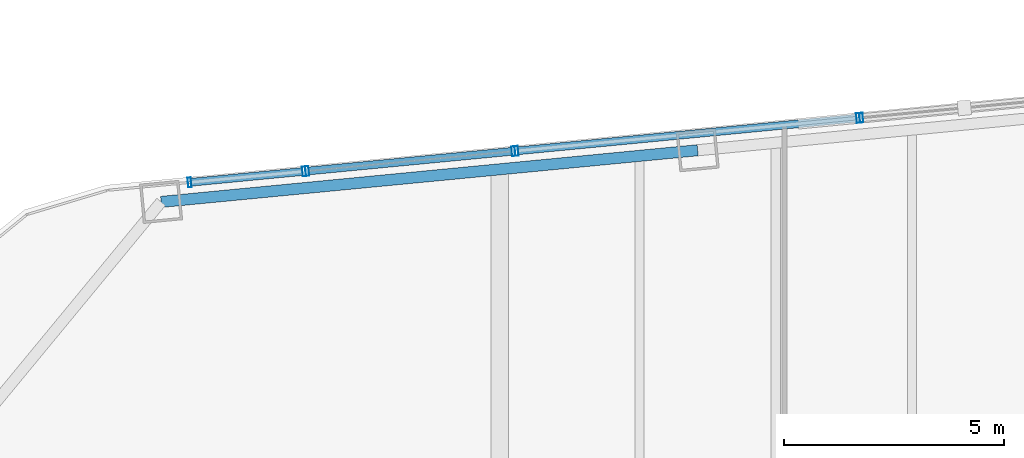
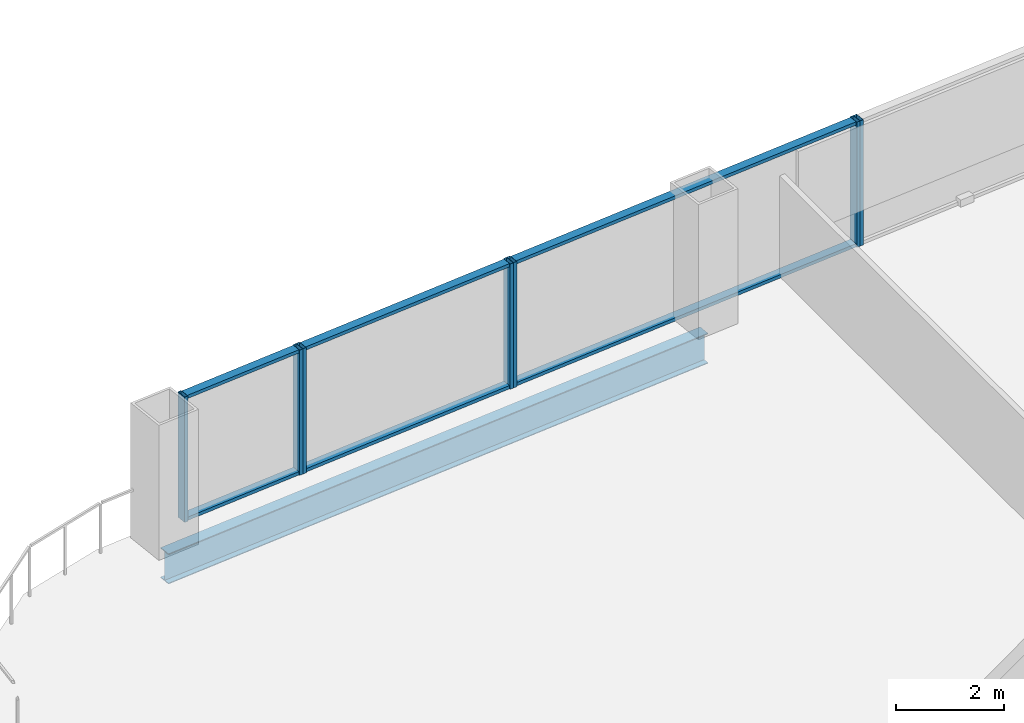
# One storey, part 16 of 27: 13 members, 1 beam, 4 elements without a shape of their own.
"""IFC4 building model written with IfcOpenShell, lengths in metres."""

from ifc_helpers import new_model, si_unit, direction, frame, origin, origin_2d, place, context, subcontext, project, spatial, hollow_rectangle, i_section, extrude, material, layer, layer_set, material_profile, profile_set, type_object, element, aggregate, save


model = new_model("IFC4")

# Units and contexts
model_context = context("Model", 3, precision=1e-05, world=origin(), true_north=direction((0.0, 1.0)))
body_context = subcontext(model_context, "Body", "Model", "MODEL_VIEW")
ifc_project = project(units=[si_unit("LENGTHUNIT", "METRE"), si_unit("AREAUNIT", "SQUARE_METRE"), si_unit("VOLUMEUNIT", "CUBIC_METRE"), si_unit("PLANEANGLEUNIT", "RADIAN"), si_unit("MASSUNIT", "GRAM", prefix="KILO")], contexts=[model_context])

# Site, building, storey
site_placement = place(None, origin())
site = spatial("IfcSite", under=ifc_project, at=site_placement, CompositionType="ELEMENT")
building_placement = place(site_placement, origin())
building = spatial("IfcBuilding", under=site, at=building_placement, Name="Qhalaya Broadcast Tower", CompositionType="ELEMENT")
storey_placement = place(building_placement, frame((0.0, 0.0, 75.550048828125)))
storey = spatial("IfcBuildingStorey", under=building, at=storey_placement, Name="L21", CompositionType="ELEMENT", Elevation=75.550048828125)

# Beam
ifc_material_1 = material(Name="Structural Steel ASTM A992 Grade 50", Category="steel")
ifc_material_profile_1 = material_profile(ifc_material_1, i_section(OverallWidth=0.25390625, OverallDepth=0.68310546875, WebThickness=0.012451171875, FlangeThickness=0.01904296875, at=origin_2d()), Name="W27X94")
ifc_profile_set_1 = profile_set([ifc_material_profile_1], Name="Structural Steel ASTM A992 Grade 50")
beam_type = type_object("IfcBeamType", Name="Perimeter Ring Spandrel Beam SP1", PredefinedType="SPANDREL", material=ifc_profile_set_1)
beam_placement = place(storey_placement, frame((-4.875, 26.941162109375, -0.5615234375), z_axis=(-0.99539563662, -0.095851586307, 0.0), x_axis=(0.095851586307, -0.99539563662, 0.0)))
element("IfcBeam", 1, at=beam_placement, inside=storey, type_object=beam_type, Name="L21 SP1 L21-SPR-11", PredefinedType="SPANDREL", context=body_context, shape_type="SweptSolid", body=[
    extrude(i_section(OverallWidth=0.25390625, OverallDepth=0.68310546875, WebThickness=0.012451171875, FlangeThickness=0.01904296875, at=origin_2d()), origin(), (0.0, 0.0, 1.0), 12.2666015625),
])

# Curtain wall, member
ifc_material_2 = material(Name="Solar-Control Low-E Triple Glazing", Category="glass")
ifc_layer_1 = layer(ifc_material_2, 0.219970703125, Name="Solar-Control Low-E Triple Glazing")
ifc_layer_set_1 = layer_set([ifc_layer_1], Name="Solar-Control Low-E Triple Glazing")
curtain_wall_type_1 = type_object("IfcCurtainWallType", Name="Even-Block 4-Storey Double-Module Curtain Wall CW-03", PredefinedType="NOTDEFINED", material=ifc_layer_set_1)
curtain_wall_1_placement = place(storey_placement, origin())
curtain_wall_1 = element("IfcCurtainWall", 2, at=curtain_wall_1_placement, inside=storey, type_object=curtain_wall_type_1, Name="L21 Unitised Curtain Wall L21-CW-N4", PredefinedType="NOTDEFINED")
ifc_material_3 = material(Name="Anodised Aluminium 6063-T6", Category="aluminium")
ifc_material_profile_2 = material_profile(ifc_material_3, hollow_rectangle(XDim=0.074951171875, YDim=0.219970703125, WallThickness=0.00390625, at=origin_2d()), Name="ALU-MUL 75x220x4")
ifc_profile_set_2 = profile_set([ifc_material_profile_2], Name="Anodised Aluminium 6063-T6")
member_type_1 = type_object("IfcMemberType", Name="Unitised Curtain-Wall Mullion M01", PredefinedType="MULLION", material=ifc_profile_set_2)
member_1_placement = place(storey_placement, frame((-1.15087890625, 27.681396484375, 0.0), z_axis=(0.0, 0.0, 1.0), x_axis=(-0.995394623965, -0.095862101904, 0.0)))
member_1 = element("IfcMember", 3, at=member_1_placement, type_object=member_type_1, Name="CW-03 mullion 2", PredefinedType="MULLION", context=body_context, shape_type="SweptSolid", body=[
    extrude(hollow_rectangle(XDim=0.074951171875, YDim=0.219970703125, WallThickness=0.00390625, at=origin_2d()), origin(), (0.0, 0.0, 1.0), 2.829833984375),
])
aggregate(curtain_wall_1, [member_1])

# Curtain wall, members
ifc_material_4 = material(Name="Fired Architectural Terracotta", Category="masonry")
ifc_layer_2 = layer(ifc_material_4, 0.219970703125, Name="Fired Architectural Terracotta")
ifc_layer_set_2 = layer_set([ifc_layer_2], Name="Fired Architectural Terracotta")
curtain_wall_type_2 = type_object("IfcCurtainWallType", Name="Block-Cap Unitised Terracotta Spandrel Wall CW-07", PredefinedType="NOTDEFINED", material=ifc_layer_set_2)
curtain_wall_2_placement = place(storey_placement, origin())
curtain_wall_2 = element("IfcCurtainWall", 4, at=curtain_wall_2_placement, inside=storey, type_object=curtain_wall_type_2, Name="L21 Unitised Curtain Wall L21-CW-N5", PredefinedType="NOTDEFINED")
member_2_placement = place(storey_placement, frame((-1.2255859375, 27.67431640625, 0.0), z_axis=(0.0, 0.0, 1.0), x_axis=(-0.995396908899, -0.095838373083, 0.0)))
member_2 = element("IfcMember", 5, at=member_2_placement, type_object=member_type_1, Name="CW-07 mullion 1", PredefinedType="MULLION", context=body_context, shape_type="SweptSolid", body=[
    extrude(hollow_rectangle(XDim=0.074951171875, YDim=0.219970703125, WallThickness=0.00390625, at=origin_2d()), origin(), (0.0, 0.0, 1.0), 2.829833984375),
])
member_3_placement = place(storey_placement, frame((-8.99560546875, 26.92626953125, 0.0), z_axis=(0.0, 0.0, 1.0), x_axis=(-0.995396908899, -0.095838373083, 0.0)))
member_3 = element("IfcMember", 6, at=member_3_placement, type_object=member_type_1, Name="CW-07 mullion 2", PredefinedType="MULLION", context=body_context, shape_type="SweptSolid", body=[
    extrude(hollow_rectangle(XDim=0.074951171875, YDim=0.219970703125, WallThickness=0.00390625, at=origin_2d()), origin(), (0.0, 0.0, 1.0), 2.829833984375),
])

curtain_wall_3_placement = place(storey_placement, origin())
curtain_wall_3 = element("IfcCurtainWall", 7, at=curtain_wall_3_placement, inside=storey, type_object=curtain_wall_type_1, Name="L21 Unitised Curtain Wall L21-CW-N6", PredefinedType="NOTDEFINED")
member_4_placement = place(storey_placement, frame((-9.0703125, 26.9189453125, 0.0), z_axis=(0.0, 0.0, 1.0), x_axis=(-0.995394431952, -0.095864095672, 0.0)))
member_4 = element("IfcMember", 8, at=member_4_placement, type_object=member_type_1, Name="CW-03 mullion 1", PredefinedType="MULLION", context=body_context, shape_type="SweptSolid", body=[
    extrude(hollow_rectangle(XDim=0.074951171875, YDim=0.219970703125, WallThickness=0.00390625, at=origin_2d()), origin(), (0.0, 0.0, 1.0), 2.829833984375),
])
member_5_placement = place(storey_placement, frame((-13.759521484375, 26.46728515625, 0.0), z_axis=(0.0, 0.0, 1.0), x_axis=(-0.995394431952, -0.095864095672, 0.0)))
member_5 = element("IfcMember", 9, at=member_5_placement, type_object=member_type_1, Name="CW-03 mullion 2", PredefinedType="MULLION", context=body_context, shape_type="SweptSolid", body=[
    extrude(hollow_rectangle(XDim=0.074951171875, YDim=0.219970703125, WallThickness=0.00390625, at=origin_2d()), origin(), (0.0, 0.0, 1.0), 2.829833984375),
])

curtain_wall_4_placement = place(storey_placement, origin())
curtain_wall_4 = element("IfcCurtainWall", 10, at=curtain_wall_4_placement, inside=storey, type_object=curtain_wall_type_2, Name="L21 Unitised Curtain Wall L21-CW-N7", PredefinedType="NOTDEFINED")
member_6_placement = place(storey_placement, frame((-13.834228515625, 26.460205078125, 0.0), z_axis=(0.0, 0.0, 1.0), x_axis=(-0.995397375184, -0.095833530024, 0.0)))
member_6 = element("IfcMember", 11, at=member_6_placement, type_object=member_type_1, Name="CW-07 mullion 1", PredefinedType="MULLION", context=body_context, shape_type="SweptSolid", body=[
    extrude(hollow_rectangle(XDim=0.074951171875, YDim=0.219970703125, WallThickness=0.00390625, at=origin_2d()), origin(), (0.0, 0.0, 1.0), 2.829833984375),
])
member_7_placement = place(storey_placement, frame((-16.437255859375, 26.20947265625, 0.0), z_axis=(0.0, 0.0, 1.0), x_axis=(-0.995397375184, -0.095833530024, 0.0)))
member_7 = element("IfcMember", 12, at=member_7_placement, type_object=member_type_1, Name="CW-07 mullion 2", PredefinedType="MULLION", context=body_context, shape_type="SweptSolid", body=[
    extrude(hollow_rectangle(XDim=0.074951171875, YDim=0.219970703125, WallThickness=0.00390625, at=origin_2d()), origin(), (0.0, 0.0, 1.0), 2.829833984375),
])

# Member
ifc_material_profile_3 = material_profile(ifc_material_3, hollow_rectangle(XDim=0.074951171875, YDim=0.179931640625, WallThickness=0.00390625, at=origin_2d()), Name="ALU-TRN 75x180x4")
ifc_profile_set_3 = profile_set([ifc_material_profile_3], Name="Anodised Aluminium 6063-T6")
member_type_2 = type_object("IfcMemberType", Name="Unitised Curtain-Wall Transom T01", PredefinedType="USERDEFINED", material=ifc_profile_set_3)
member_8_placement = place(storey_placement, frame((-1.262939453125, 27.670654296875, 0.037353515625), z_axis=(-0.99539629116, -0.095844788822, 0.0), x_axis=(0.0, 0.0, 1.0)))
member_8 = element("IfcMember", 13, at=member_8_placement, type_object=member_type_2, Name="CW-07 transom 1.1", ObjectType="TRANSOM", PredefinedType="USERDEFINED", context=body_context, shape_type="SweptSolid", body=[
    extrude(hollow_rectangle(XDim=0.074951171875, YDim=0.179931640625, WallThickness=0.00390625, at=origin_2d()), origin(), (0.0, 0.0, 1.0), 7.73095703125),
])

member_9_placement = place(storey_placement, frame((-1.262939453125, 27.670654296875, 2.79248046875), z_axis=(-0.99539629116, -0.095844788822, 0.0), x_axis=(0.0, 0.0, 1.0)))
member_9 = element("IfcMember", 14, at=member_9_placement, type_object=member_type_2, Name="CW-07 transom 1.2", ObjectType="TRANSOM", PredefinedType="USERDEFINED", context=body_context, shape_type="SweptSolid", body=[
    extrude(hollow_rectangle(XDim=0.074951171875, YDim=0.179931640625, WallThickness=0.00390625, at=origin_2d()), origin(), (0.0, 0.0, 1.0), 7.73095703125),
])

aggregate(curtain_wall_2, [member_2, member_3, member_8, member_9])

member_10_placement = place(storey_placement, frame((-9.107666015625, 26.91552734375, 0.037353515625), z_axis=(-0.99539096807, -0.095900055704, 0.0), x_axis=(0.0, 0.0, 1.0)))
member_10 = element("IfcMember", 15, at=member_10_placement, type_object=member_type_2, Name="CW-03 transom 1.1", ObjectType="TRANSOM", PredefinedType="USERDEFINED", context=body_context, shape_type="SweptSolid", body=[
    extrude(hollow_rectangle(XDim=0.074951171875, YDim=0.179931640625, WallThickness=0.00390625, at=origin_2d()), origin(), (0.0, 0.0, 1.0), 4.635986328125),
])

member_11_placement = place(storey_placement, frame((-9.107666015625, 26.91552734375, 2.79248046875), z_axis=(-0.99539096807, -0.095900055704, 0.0), x_axis=(0.0, 0.0, 1.0)))
member_11 = element("IfcMember", 16, at=member_11_placement, type_object=member_type_2, Name="CW-03 transom 1.2", ObjectType="TRANSOM", PredefinedType="USERDEFINED", context=body_context, shape_type="SweptSolid", body=[
    extrude(hollow_rectangle(XDim=0.074951171875, YDim=0.179931640625, WallThickness=0.00390625, at=origin_2d()), origin(), (0.0, 0.0, 1.0), 4.635986328125),
])

aggregate(curtain_wall_3, [member_4, member_5, member_10, member_11])

member_12_placement = place(storey_placement, frame((-13.87158203125, 26.45654296875, 0.037353515625), z_axis=(-0.995397751495, -0.095829621306, 0.0), x_axis=(0.0, 0.0, 1.0)))
member_12 = element("IfcMember", 17, at=member_12_placement, type_object=member_type_2, Name="CW-07 transom 1.1", ObjectType="TRANSOM", PredefinedType="USERDEFINED", context=body_context, shape_type="SweptSolid", body=[
    extrude(hollow_rectangle(XDim=0.074951171875, YDim=0.179931640625, WallThickness=0.00390625, at=origin_2d()), origin(), (0.0, 0.0, 1.0), 2.5400390625),
])

member_13_placement = place(storey_placement, frame((-13.87158203125, 26.45654296875, 2.79248046875), z_axis=(-0.995397751495, -0.095829621306, 0.0), x_axis=(0.0, 0.0, 1.0)))
member_13 = element("IfcMember", 18, at=member_13_placement, type_object=member_type_2, Name="CW-07 transom 1.2", ObjectType="TRANSOM", PredefinedType="USERDEFINED", context=body_context, shape_type="SweptSolid", body=[
    extrude(hollow_rectangle(XDim=0.074951171875, YDim=0.179931640625, WallThickness=0.00390625, at=origin_2d()), origin(), (0.0, 0.0, 1.0), 2.5400390625),
])

aggregate(curtain_wall_4, [member_6, member_7, member_12, member_13])

save(model, "model.ifc")
